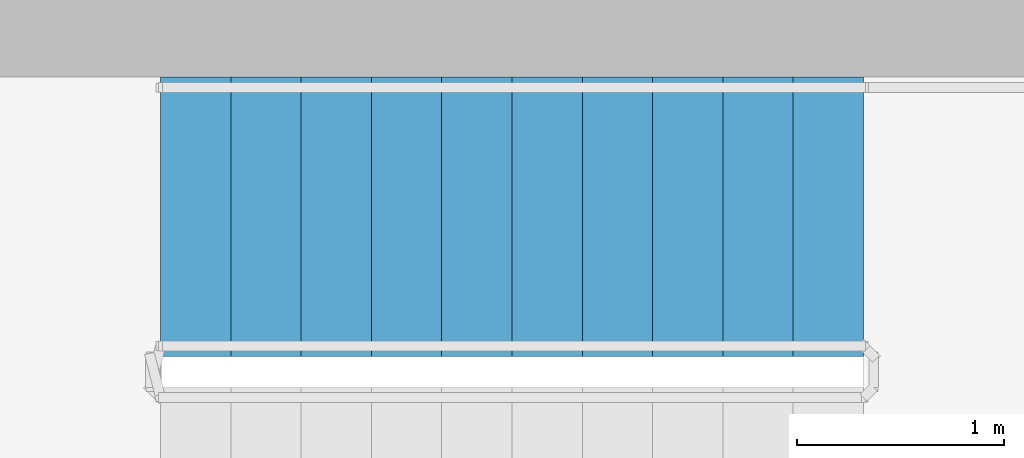
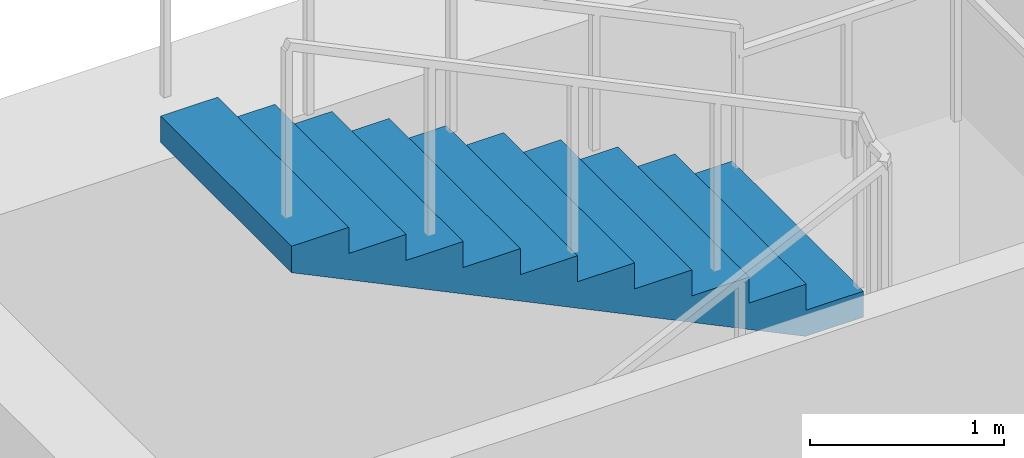
# One storey, part 14 of 17: 1 stair flight, 1 element without a shape of its own.
"""IFC4 building model written with IfcOpenShell, lengths in metres."""

from ifc_helpers import new_model, si_unit, direction, frame, origin, place, context, subcontext, project, spatial, polyline, outline, extrude, material, type_object, element, aggregate, save


model = new_model("IFC4")

# Units and contexts
model_context = context("Model", 3, precision=1e-05, world=origin(), true_north=direction((0.0, 1.0)))
body_context = subcontext(model_context, "Body", "Model", "MODEL_VIEW")
ifc_project = project(units=[si_unit("LENGTHUNIT", "METRE"), si_unit("AREAUNIT", "SQUARE_METRE"), si_unit("VOLUMEUNIT", "CUBIC_METRE"), si_unit("PLANEANGLEUNIT", "RADIAN"), si_unit("MASSUNIT", "GRAM", prefix="KILO")], contexts=[model_context])

# Site, building, storey
site_placement = place(None, origin())
site = spatial("IfcSite", under=ifc_project, at=site_placement, CompositionType="ELEMENT")
building_placement = place(site_placement, origin())
building = spatial("IfcBuilding", under=site, at=building_placement, Name="Perihelion Cross Residences", CompositionType="ELEMENT")
storey_placement = place(building_placement, frame((0.0, 0.0, 154.89990234375)))
storey = spatial("IfcBuildingStorey", under=building, at=storey_placement, Name="L38", CompositionType="ELEMENT", Elevation=154.89990234375)

# Stair, stair flight
ifc_material_1 = material(Name="Concrete C40/50", Category="concrete")
stair_type = type_object("IfcStairType", Name="Exit stair, half-turn", PredefinedType="HALF_TURN_STAIR", material=ifc_material_1)
stair_placement = place(storey_placement, origin())
stair = element("IfcStair", 1, at=stair_placement, inside=storey, type_object=stair_type, Name="L38 East core exit stair 1", PredefinedType="HALF_TURN_STAIR")
ifc_material_2 = material(Name="Concrete C40/50", Category="concrete")
stair_flight_type = type_object("IfcStairFlightType", Name="Exit stair flight", PredefinedType="STRAIGHT", material=ifc_material_2)
stair_flight_placement = place(storey_placement, frame((26.800048828125, 7.425048828125, 5.400146484375), z_axis=(0.0, 0.0, 1.0), x_axis=(-1.0, 0.0, 0.0)))
stair_flight = element("IfcStairFlight", 2, at=stair_flight_placement, type_object=stair_flight_type, Name="ST-E1 flight 4", NumberOfRisers=11, NumberOfTreads=10, PredefinedType="STRAIGHT", RiserHeight=0.163636364, TreadLength=0.34, context=body_context, shape_type="SweptSolid", body=[
    extrude(outline(polyline([(0.0, 0.0), (0.0, 0.16357421875), (0.340087890625, 0.16357421875), (0.340087890625, 0.327392578125), (0.679931640625, 0.327392578125), (0.679931640625, 0.490966796875), (1.02001953125, 0.490966796875), (1.02001953125, 0.654541015625), (1.360107421875, 0.654541015625), (1.360107421875, 0.818115234375), (1.699951171875, 0.818115234375), (1.699951171875, 0.98193359375), (2.0400390625, 0.98193359375), (2.0400390625, 1.1455078125), (2.3798828125, 1.1455078125), (2.3798828125, 1.30908203125), (2.719970703125, 1.30908203125), (2.719970703125, 1.47265625), (3.06005859375, 1.47265625), (3.06005859375, 1.636474609375), (3.39990234375, 1.636474609375), (3.39990234375, 1.800048828125), (3.39990234375, 1.469970703125), (0.345703125, 0.0), (0.0, 0.0)])), frame((0.0, 0.675048828125, 0.0), z_axis=(0.0, -1.0, 0.0), x_axis=(1.0, 0.0, 0.0)), (0.0, 0.0, 1.0), 1.35009765625),
])
aggregate(stair, [stair_flight])

save(model, "model.ifc")
